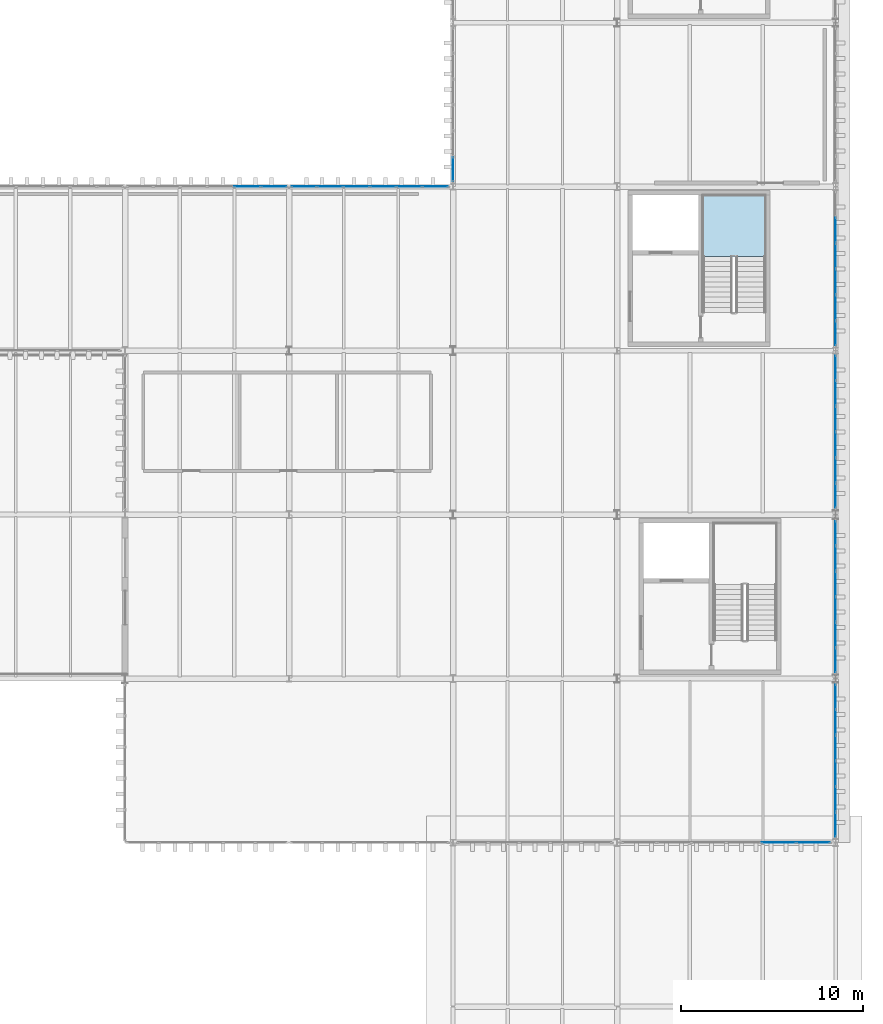
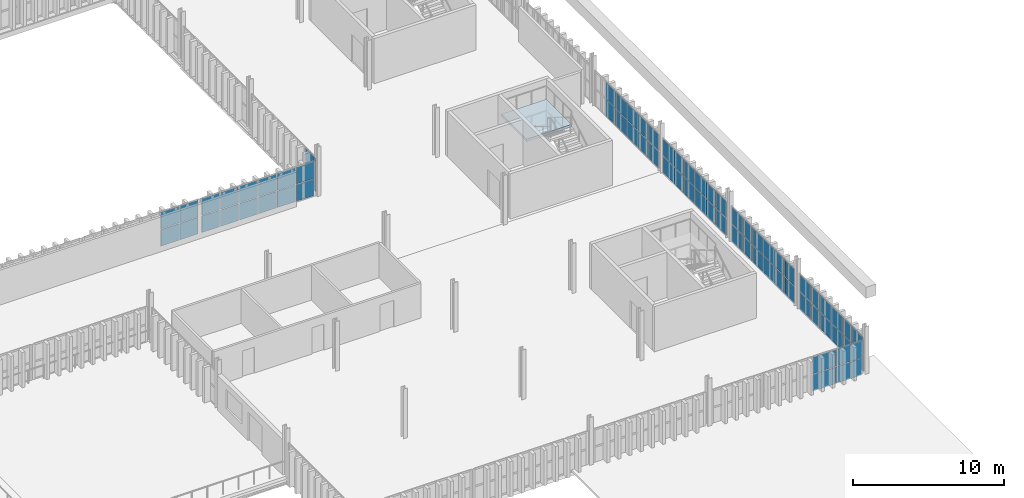
# One storey, part 83 of 102: 68 plates, 1 slab, 9 elements without a shape of their own.
"""IFC4 building model written with IfcOpenShell, lengths in metres."""

from ifc_helpers import new_model, si_unit, direction, frame, origin, origin_2d, place, context, subcontext, project, spatial, polyline, rectangle, outline, extrude, material, layer, layer_set, type_object, element, aggregate, save


model = new_model("IFC4")

# Units and contexts
model_context = context("Model", 3, precision=1e-05, world=origin(), true_north=direction((0.0, 1.0)))
body_context = subcontext(model_context, "Body", "Model", "MODEL_VIEW")
ifc_project = project(units=[si_unit("LENGTHUNIT", "METRE"), si_unit("AREAUNIT", "SQUARE_METRE"), si_unit("VOLUMEUNIT", "CUBIC_METRE"), si_unit("PLANEANGLEUNIT", "RADIAN"), si_unit("MASSUNIT", "GRAM", prefix="KILO")], contexts=[model_context])

# Site, building, storey
site_placement = place(None, origin())
site = spatial("IfcSite", under=ifc_project, at=site_placement, CompositionType="ELEMENT")
building_placement = place(site_placement, origin())
building = spatial("IfcBuilding", under=site, at=building_placement, Name="Barlavento Convention Centre", CompositionType="ELEMENT")
storey_placement = place(building_placement, frame((0.0, 0.0, 22.800048828125)))
storey = spatial("IfcBuildingStorey", under=building, at=storey_placement, Name="L04", CompositionType="ELEMENT", Elevation=22.800048828125)

# Curtain wall, plates
ifc_material_1 = material(Name="Powder-coated aluminium and Low-E glass", Category="aluminium")
ifc_layer_1 = layer(ifc_material_1, 0.18505859375)
ifc_layer_set_1 = layer_set([ifc_layer_1], Name="ARC-CW-CONF-L04")
curtain_wall_type_1 = type_object("IfcCurtainWallType", Name="ARC-CW-CONF-L04", PredefinedType="NOTDEFINED", material=ifc_layer_set_1)
curtain_wall_1_placement = place(storey_placement, origin())
curtain_wall_1 = element("IfcCurtainWall", 1, at=curtain_wall_1_placement, inside=storey, type_object=curtain_wall_type_1, Name="L04 unitised curtain wall CW09", PredefinedType="NOTDEFINED")
ifc_material_2 = material(Name="Double-silver Low-E insulated glass", Category="glass")
ifc_layer_2 = layer(ifc_material_2, 0.028076171875)
ifc_layer_set_2 = layer_set([ifc_layer_2], Name="ARC-CWP-GLZ28")
plate_type = type_object("IfcPlateType", Name="ARC-CWP-GLZ28", PredefinedType="CURTAIN_PANEL", material=ifc_layer_set_2)
plate_1_placement = place(storey_placement, frame((192.0, 27.9794921875, 0.06005859375), z_axis=(0.0, 0.0, 1.0), x_axis=(0.0, 1.0, 0.0)))
plate_1 = element("IfcPlate", 2, at=plate_1_placement, type_object=plate_type, Name="CW09 panel 1.1", PredefinedType="CURTAIN_PANEL", context=body_context, shape_type="SweptSolid", body=[
    extrude(rectangle(XDim=1.319091796875, YDim=0.028076171875, at=origin_2d()), origin(), (0.0, 0.0, 1.0), 1.3349609375),
])
plate_2_placement = place(storey_placement, frame((192.0, 27.9794921875, 1.455078125), z_axis=(0.0, 0.0, 1.0), x_axis=(0.0, 1.0, 0.0)))
plate_2 = element("IfcPlate", 3, at=plate_2_placement, type_object=plate_type, Name="CW09 panel 1.2", PredefinedType="CURTAIN_PANEL", context=body_context, shape_type="SweptSolid", body=[
    extrude(rectangle(XDim=1.319091796875, YDim=0.028076171875, at=origin_2d()), origin(), (0.0, 0.0, 1.0), 1.3349609375),
])
plate_3_placement = place(storey_placement, frame((192.0, 29.373779296875, 0.06005859375), z_axis=(0.0, 0.0, 1.0), x_axis=(0.0, 1.0, 0.0)))
plate_3 = element("IfcPlate", 4, at=plate_3_placement, type_object=plate_type, Name="CW09 panel 2.1", PredefinedType="CURTAIN_PANEL", context=body_context, shape_type="SweptSolid", body=[
    extrude(rectangle(XDim=1.34912109375, YDim=0.028076171875, at=origin_2d()), origin(), (0.0, 0.0, 1.0), 1.3349609375),
])
plate_4_placement = place(storey_placement, frame((192.0, 29.373779296875, 1.455078125), z_axis=(0.0, 0.0, 1.0), x_axis=(0.0, 1.0, 0.0)))
plate_4 = element("IfcPlate", 5, at=plate_4_placement, type_object=plate_type, Name="CW09 panel 2.2", PredefinedType="CURTAIN_PANEL", context=body_context, shape_type="SweptSolid", body=[
    extrude(rectangle(XDim=1.34912109375, YDim=0.028076171875, at=origin_2d()), origin(), (0.0, 0.0, 1.0), 1.3349609375),
])
plate_5_placement = place(storey_placement, frame((192.0, 30.782958984375, 0.06005859375), z_axis=(0.0, 0.0, 1.0), x_axis=(0.0, 1.0, 0.0)))
plate_5 = element("IfcPlate", 6, at=plate_5_placement, type_object=plate_type, Name="CW09 panel 3.1", PredefinedType="CURTAIN_PANEL", context=body_context, shape_type="SweptSolid", body=[
    extrude(rectangle(XDim=1.34912109375, YDim=0.028076171875, at=origin_2d()), origin(), (0.0, 0.0, 1.0), 1.3349609375),
])
plate_6_placement = place(storey_placement, frame((192.0, 30.782958984375, 1.455078125), z_axis=(0.0, 0.0, 1.0), x_axis=(0.0, 1.0, 0.0)))
plate_6 = element("IfcPlate", 7, at=plate_6_placement, type_object=plate_type, Name="CW09 panel 3.2", PredefinedType="CURTAIN_PANEL", context=body_context, shape_type="SweptSolid", body=[
    extrude(rectangle(XDim=1.34912109375, YDim=0.028076171875, at=origin_2d()), origin(), (0.0, 0.0, 1.0), 1.3349609375),
])
plate_7_placement = place(storey_placement, frame((192.0, 32.192138671875, 0.06005859375), z_axis=(0.0, 0.0, 1.0), x_axis=(0.0, 1.0, 0.0)))
plate_7 = element("IfcPlate", 8, at=plate_7_placement, type_object=plate_type, Name="CW09 panel 4.1", PredefinedType="CURTAIN_PANEL", context=body_context, shape_type="SweptSolid", body=[
    extrude(rectangle(XDim=1.34912109375, YDim=0.028076171875, at=origin_2d()), origin(), (0.0, 0.0, 1.0), 1.3349609375),
])
plate_8_placement = place(storey_placement, frame((192.0, 32.192138671875, 1.455078125), z_axis=(0.0, 0.0, 1.0), x_axis=(0.0, 1.0, 0.0)))
plate_8 = element("IfcPlate", 9, at=plate_8_placement, type_object=plate_type, Name="CW09 panel 4.2", PredefinedType="CURTAIN_PANEL", context=body_context, shape_type="SweptSolid", body=[
    extrude(rectangle(XDim=1.34912109375, YDim=0.028076171875, at=origin_2d()), origin(), (0.0, 0.0, 1.0), 1.3349609375),
])
plate_9_placement = place(storey_placement, frame((192.0, 33.601318359375, 0.06005859375), z_axis=(0.0, 0.0, 1.0), x_axis=(0.0, 1.0, 0.0)))
plate_9 = element("IfcPlate", 10, at=plate_9_placement, type_object=plate_type, Name="CW09 panel 5.1", PredefinedType="CURTAIN_PANEL", context=body_context, shape_type="SweptSolid", body=[
    extrude(rectangle(XDim=1.34912109375, YDim=0.028076171875, at=origin_2d()), origin(), (0.0, 0.0, 1.0), 1.3349609375),
])
plate_10_placement = place(storey_placement, frame((192.0, 33.601318359375, 1.455078125), z_axis=(0.0, 0.0, 1.0), x_axis=(0.0, 1.0, 0.0)))
plate_10 = element("IfcPlate", 11, at=plate_10_placement, type_object=plate_type, Name="CW09 panel 5.2", PredefinedType="CURTAIN_PANEL", context=body_context, shape_type="SweptSolid", body=[
    extrude(rectangle(XDim=1.34912109375, YDim=0.028076171875, at=origin_2d()), origin(), (0.0, 0.0, 1.0), 1.3349609375),
])
plate_11_placement = place(storey_placement, frame((192.0, 34.995361328125, 0.06005859375), z_axis=(0.0, 0.0, 1.0), x_axis=(0.0, 1.0, 0.0)))
plate_11 = element("IfcPlate", 12, at=plate_11_placement, type_object=plate_type, Name="CW09 panel 6.1", PredefinedType="CURTAIN_PANEL", context=body_context, shape_type="SweptSolid", body=[
    extrude(rectangle(XDim=1.319091796875, YDim=0.028076171875, at=origin_2d()), origin(), (0.0, 0.0, 1.0), 1.3349609375),
])
plate_12_placement = place(storey_placement, frame((192.0, 34.995361328125, 1.455078125), z_axis=(0.0, 0.0, 1.0), x_axis=(0.0, 1.0, 0.0)))
plate_12 = element("IfcPlate", 13, at=plate_12_placement, type_object=plate_type, Name="CW09 panel 6.2", PredefinedType="CURTAIN_PANEL", context=body_context, shape_type="SweptSolid", body=[
    extrude(rectangle(XDim=1.319091796875, YDim=0.028076171875, at=origin_2d()), origin(), (0.0, 0.0, 1.0), 1.3349609375),
])
aggregate(curtain_wall_1, [plate_1, plate_2, plate_3, plate_4, plate_5, plate_6, plate_7, plate_8, plate_9, plate_10, plate_11, plate_12])

curtain_wall_2_placement = place(storey_placement, origin())
curtain_wall_2 = element("IfcCurtainWall", 14, at=curtain_wall_2_placement, inside=storey, type_object=curtain_wall_type_1, Name="L04 unitised curtain wall CW09", PredefinedType="NOTDEFINED")
plate_13_placement = place(storey_placement, frame((192.0, 37.00048828125, 0.06005859375), z_axis=(0.0, 0.0, 1.0), x_axis=(0.0, 1.0, 0.0)))
plate_13 = element("IfcPlate", 15, at=plate_13_placement, type_object=plate_type, Name="CW09 panel 1.1", PredefinedType="CURTAIN_PANEL", context=body_context, shape_type="SweptSolid", body=[
    extrude(rectangle(XDim=1.310791015625, YDim=0.028076171875, at=origin_2d()), origin(), (0.0, 0.0, 1.0), 1.3349609375),
])
plate_14_placement = place(storey_placement, frame((192.0, 37.00048828125, 1.455078125), z_axis=(0.0, 0.0, 1.0), x_axis=(0.0, 1.0, 0.0)))
plate_14 = element("IfcPlate", 16, at=plate_14_placement, type_object=plate_type, Name="CW09 panel 1.2", PredefinedType="CURTAIN_PANEL", context=body_context, shape_type="SweptSolid", body=[
    extrude(rectangle(XDim=1.310791015625, YDim=0.028076171875, at=origin_2d()), origin(), (0.0, 0.0, 1.0), 1.3349609375),
])
plate_15_placement = place(storey_placement, frame((192.0, 38.38623046875, 0.06005859375), z_axis=(0.0, 0.0, 1.0), x_axis=(0.0, 1.0, 0.0)))
plate_15 = element("IfcPlate", 17, at=plate_15_placement, type_object=plate_type, Name="CW09 panel 2.1", PredefinedType="CURTAIN_PANEL", context=body_context, shape_type="SweptSolid", body=[
    extrude(rectangle(XDim=1.3408203125, YDim=0.028076171875, at=origin_2d()), origin(), (0.0, 0.0, 1.0), 1.3349609375),
])
plate_16_placement = place(storey_placement, frame((192.0, 38.38623046875, 1.455078125), z_axis=(0.0, 0.0, 1.0), x_axis=(0.0, 1.0, 0.0)))
plate_16 = element("IfcPlate", 18, at=plate_16_placement, type_object=plate_type, Name="CW09 panel 2.2", PredefinedType="CURTAIN_PANEL", context=body_context, shape_type="SweptSolid", body=[
    extrude(rectangle(XDim=1.3408203125, YDim=0.028076171875, at=origin_2d()), origin(), (0.0, 0.0, 1.0), 1.3349609375),
])
plate_17_placement = place(storey_placement, frame((192.0, 39.787109375, 0.06005859375), z_axis=(0.0, 0.0, 1.0), x_axis=(0.0, 1.0, 0.0)))
plate_17 = element("IfcPlate", 19, at=plate_17_placement, type_object=plate_type, Name="CW09 panel 3.1", PredefinedType="CURTAIN_PANEL", context=body_context, shape_type="SweptSolid", body=[
    extrude(rectangle(XDim=1.3408203125, YDim=0.028076171875, at=origin_2d()), origin(), (0.0, 0.0, 1.0), 1.3349609375),
])
plate_18_placement = place(storey_placement, frame((192.0, 39.787109375, 1.455078125), z_axis=(0.0, 0.0, 1.0), x_axis=(0.0, 1.0, 0.0)))
plate_18 = element("IfcPlate", 20, at=plate_18_placement, type_object=plate_type, Name="CW09 panel 3.2", PredefinedType="CURTAIN_PANEL", context=body_context, shape_type="SweptSolid", body=[
    extrude(rectangle(XDim=1.3408203125, YDim=0.028076171875, at=origin_2d()), origin(), (0.0, 0.0, 1.0), 1.3349609375),
])
plate_19_placement = place(storey_placement, frame((192.0, 41.18798828125, 0.06005859375), z_axis=(0.0, 0.0, 1.0), x_axis=(0.0, 1.0, 0.0)))
plate_19 = element("IfcPlate", 21, at=plate_19_placement, type_object=plate_type, Name="CW09 panel 4.1", PredefinedType="CURTAIN_PANEL", context=body_context, shape_type="SweptSolid", body=[
    extrude(rectangle(XDim=1.3408203125, YDim=0.028076171875, at=origin_2d()), origin(), (0.0, 0.0, 1.0), 1.3349609375),
])
plate_20_placement = place(storey_placement, frame((192.0, 41.18798828125, 1.455078125), z_axis=(0.0, 0.0, 1.0), x_axis=(0.0, 1.0, 0.0)))
plate_20 = element("IfcPlate", 22, at=plate_20_placement, type_object=plate_type, Name="CW09 panel 4.2", PredefinedType="CURTAIN_PANEL", context=body_context, shape_type="SweptSolid", body=[
    extrude(rectangle(XDim=1.3408203125, YDim=0.028076171875, at=origin_2d()), origin(), (0.0, 0.0, 1.0), 1.3349609375),
])
plate_21_placement = place(storey_placement, frame((192.0, 42.5888671875, 0.06005859375), z_axis=(0.0, 0.0, 1.0), x_axis=(0.0, 1.0, 0.0)))
plate_21 = element("IfcPlate", 23, at=plate_21_placement, type_object=plate_type, Name="CW09 panel 5.1", PredefinedType="CURTAIN_PANEL", context=body_context, shape_type="SweptSolid", body=[
    extrude(rectangle(XDim=1.3408203125, YDim=0.028076171875, at=origin_2d()), origin(), (0.0, 0.0, 1.0), 1.3349609375),
])
plate_22_placement = place(storey_placement, frame((192.0, 42.5888671875, 1.455078125), z_axis=(0.0, 0.0, 1.0), x_axis=(0.0, 1.0, 0.0)))
plate_22 = element("IfcPlate", 24, at=plate_22_placement, type_object=plate_type, Name="CW09 panel 5.2", PredefinedType="CURTAIN_PANEL", context=body_context, shape_type="SweptSolid", body=[
    extrude(rectangle(XDim=1.3408203125, YDim=0.028076171875, at=origin_2d()), origin(), (0.0, 0.0, 1.0), 1.3349609375),
])
plate_23_placement = place(storey_placement, frame((192.0, 43.974609375, 0.06005859375), z_axis=(0.0, 0.0, 1.0), x_axis=(0.0, 1.0, 0.0)))
plate_23 = element("IfcPlate", 25, at=plate_23_placement, type_object=plate_type, Name="CW09 panel 6.1", PredefinedType="CURTAIN_PANEL", context=body_context, shape_type="SweptSolid", body=[
    extrude(rectangle(XDim=1.310791015625, YDim=0.028076171875, at=origin_2d()), origin(), (0.0, 0.0, 1.0), 1.3349609375),
])
plate_24_placement = place(storey_placement, frame((192.0, 43.974609375, 1.455078125), z_axis=(0.0, 0.0, 1.0), x_axis=(0.0, 1.0, 0.0)))
plate_24 = element("IfcPlate", 26, at=plate_24_placement, type_object=plate_type, Name="CW09 panel 6.2", PredefinedType="CURTAIN_PANEL", context=body_context, shape_type="SweptSolid", body=[
    extrude(rectangle(XDim=1.310791015625, YDim=0.028076171875, at=origin_2d()), origin(), (0.0, 0.0, 1.0), 1.3349609375),
])
aggregate(curtain_wall_2, [plate_13, plate_14, plate_15, plate_16, plate_17, plate_18, plate_19, plate_20, plate_21, plate_22, plate_23, plate_24])

curtain_wall_3_placement = place(storey_placement, origin())
curtain_wall_3 = element("IfcCurtainWall", 27, at=curtain_wall_3_placement, inside=storey, type_object=curtain_wall_type_1, Name="L04 unitised curtain wall CW09", PredefinedType="NOTDEFINED")
plate_25_placement = place(storey_placement, frame((192.0, 46.030029296875, 0.06005859375), z_axis=(0.0, 0.0, 1.0), x_axis=(0.0, 1.0, 0.0)))
plate_25 = element("IfcPlate", 28, at=plate_25_placement, type_object=plate_type, Name="CW09 panel 1.1", PredefinedType="CURTAIN_PANEL", context=body_context, shape_type="SweptSolid", body=[
    extrude(rectangle(XDim=1.320068359375, YDim=0.028076171875, at=origin_2d()), origin(), (0.0, 0.0, 1.0), 1.3349609375),
])
plate_26_placement = place(storey_placement, frame((192.0, 46.030029296875, 1.455078125), z_axis=(0.0, 0.0, 1.0), x_axis=(0.0, 1.0, 0.0)))
plate_26 = element("IfcPlate", 29, at=plate_26_placement, type_object=plate_type, Name="CW09 panel 1.2", PredefinedType="CURTAIN_PANEL", context=body_context, shape_type="SweptSolid", body=[
    extrude(rectangle(XDim=1.320068359375, YDim=0.028076171875, at=origin_2d()), origin(), (0.0, 0.0, 1.0), 1.3349609375),
])
plate_27_placement = place(storey_placement, frame((192.0, 47.425048828125, 0.06005859375), z_axis=(0.0, 0.0, 1.0), x_axis=(0.0, 1.0, 0.0)))
plate_27 = element("IfcPlate", 30, at=plate_27_placement, type_object=plate_type, Name="CW09 panel 2.1", PredefinedType="CURTAIN_PANEL", context=body_context, shape_type="SweptSolid", body=[
    extrude(rectangle(XDim=1.35009765625, YDim=0.028076171875, at=origin_2d()), origin(), (0.0, 0.0, 1.0), 1.3349609375),
])
plate_28_placement = place(storey_placement, frame((192.0, 47.425048828125, 1.455078125), z_axis=(0.0, 0.0, 1.0), x_axis=(0.0, 1.0, 0.0)))
plate_28 = element("IfcPlate", 31, at=plate_28_placement, type_object=plate_type, Name="CW09 panel 2.2", PredefinedType="CURTAIN_PANEL", context=body_context, shape_type="SweptSolid", body=[
    extrude(rectangle(XDim=1.35009765625, YDim=0.028076171875, at=origin_2d()), origin(), (0.0, 0.0, 1.0), 1.3349609375),
])
plate_29_placement = place(storey_placement, frame((192.0, 48.8349609375, 0.06005859375), z_axis=(0.0, 0.0, 1.0), x_axis=(0.0, 1.0, 0.0)))
plate_29 = element("IfcPlate", 32, at=plate_29_placement, type_object=plate_type, Name="CW09 panel 3.1", PredefinedType="CURTAIN_PANEL", context=body_context, shape_type="SweptSolid", body=[
    extrude(rectangle(XDim=1.35009765625, YDim=0.028076171875, at=origin_2d()), origin(), (0.0, 0.0, 1.0), 1.3349609375),
])
plate_30_placement = place(storey_placement, frame((192.0, 48.8349609375, 1.455078125), z_axis=(0.0, 0.0, 1.0), x_axis=(0.0, 1.0, 0.0)))
plate_30 = element("IfcPlate", 33, at=plate_30_placement, type_object=plate_type, Name="CW09 panel 3.2", PredefinedType="CURTAIN_PANEL", context=body_context, shape_type="SweptSolid", body=[
    extrude(rectangle(XDim=1.35009765625, YDim=0.028076171875, at=origin_2d()), origin(), (0.0, 0.0, 1.0), 1.3349609375),
])
plate_31_placement = place(storey_placement, frame((192.0, 50.2451171875, 0.06005859375), z_axis=(0.0, 0.0, 1.0), x_axis=(0.0, 1.0, 0.0)))
plate_31 = element("IfcPlate", 34, at=plate_31_placement, type_object=plate_type, Name="CW09 panel 4.1", PredefinedType="CURTAIN_PANEL", context=body_context, shape_type="SweptSolid", body=[
    extrude(rectangle(XDim=1.35009765625, YDim=0.028076171875, at=origin_2d()), origin(), (0.0, 0.0, 1.0), 1.3349609375),
])
plate_32_placement = place(storey_placement, frame((192.0, 50.2451171875, 1.455078125), z_axis=(0.0, 0.0, 1.0), x_axis=(0.0, 1.0, 0.0)))
plate_32 = element("IfcPlate", 35, at=plate_32_placement, type_object=plate_type, Name="CW09 panel 4.2", PredefinedType="CURTAIN_PANEL", context=body_context, shape_type="SweptSolid", body=[
    extrude(rectangle(XDim=1.35009765625, YDim=0.028076171875, at=origin_2d()), origin(), (0.0, 0.0, 1.0), 1.3349609375),
])
plate_33_placement = place(storey_placement, frame((192.0, 51.655029296875, 0.06005859375), z_axis=(0.0, 0.0, 1.0), x_axis=(0.0, 1.0, 0.0)))
plate_33 = element("IfcPlate", 36, at=plate_33_placement, type_object=plate_type, Name="CW09 panel 5.1", PredefinedType="CURTAIN_PANEL", context=body_context, shape_type="SweptSolid", body=[
    extrude(rectangle(XDim=1.35009765625, YDim=0.028076171875, at=origin_2d()), origin(), (0.0, 0.0, 1.0), 1.3349609375),
])
plate_34_placement = place(storey_placement, frame((192.0, 51.655029296875, 1.455078125), z_axis=(0.0, 0.0, 1.0), x_axis=(0.0, 1.0, 0.0)))
plate_34 = element("IfcPlate", 37, at=plate_34_placement, type_object=plate_type, Name="CW09 panel 5.2", PredefinedType="CURTAIN_PANEL", context=body_context, shape_type="SweptSolid", body=[
    extrude(rectangle(XDim=1.35009765625, YDim=0.028076171875, at=origin_2d()), origin(), (0.0, 0.0, 1.0), 1.3349609375),
])
plate_35_placement = place(storey_placement, frame((192.0, 53.050048828125, 0.06005859375), z_axis=(0.0, 0.0, 1.0), x_axis=(0.0, 1.0, 0.0)))
plate_35 = element("IfcPlate", 38, at=plate_35_placement, type_object=plate_type, Name="CW09 panel 6.1", PredefinedType="CURTAIN_PANEL", context=body_context, shape_type="SweptSolid", body=[
    extrude(rectangle(XDim=1.320068359375, YDim=0.028076171875, at=origin_2d()), origin(), (0.0, 0.0, 1.0), 1.3349609375),
])
plate_36_placement = place(storey_placement, frame((192.0, 53.050048828125, 1.455078125), z_axis=(0.0, 0.0, 1.0), x_axis=(0.0, 1.0, 0.0)))
plate_36 = element("IfcPlate", 39, at=plate_36_placement, type_object=plate_type, Name="CW09 panel 6.2", PredefinedType="CURTAIN_PANEL", context=body_context, shape_type="SweptSolid", body=[
    extrude(rectangle(XDim=1.320068359375, YDim=0.028076171875, at=origin_2d()), origin(), (0.0, 0.0, 1.0), 1.3349609375),
])
aggregate(curtain_wall_3, [plate_25, plate_26, plate_27, plate_28, plate_29, plate_30, plate_31, plate_32, plate_33, plate_34, plate_35, plate_36])

curtain_wall_4_placement = place(storey_placement, origin())
curtain_wall_4 = element("IfcCurtainWall", 40, at=curtain_wall_4_placement, inside=storey, type_object=curtain_wall_type_1, Name="L04 unitised curtain wall CW09", PredefinedType="NOTDEFINED")
plate_37_placement = place(storey_placement, frame((192.0, 54.9541015625, 0.06005859375), z_axis=(0.0, 0.0, 1.0), x_axis=(0.0, 1.0, 0.0)))
plate_37 = element("IfcPlate", 41, at=plate_37_placement, type_object=plate_type, Name="CW09 panel 1.1", PredefinedType="CURTAIN_PANEL", context=body_context, shape_type="SweptSolid", body=[
    extrude(rectangle(XDim=1.328369140625, YDim=0.028076171875, at=origin_2d()), origin(), (0.0, 0.0, 1.0), 1.3349609375),
])
plate_38_placement = place(storey_placement, frame((192.0, 54.9541015625, 1.455078125), z_axis=(0.0, 0.0, 1.0), x_axis=(0.0, 1.0, 0.0)))
plate_38 = element("IfcPlate", 42, at=plate_38_placement, type_object=plate_type, Name="CW09 panel 1.2", PredefinedType="CURTAIN_PANEL", context=body_context, shape_type="SweptSolid", body=[
    extrude(rectangle(XDim=1.328369140625, YDim=0.028076171875, at=origin_2d()), origin(), (0.0, 0.0, 1.0), 1.3349609375),
])
plate_39_placement = place(storey_placement, frame((192.0, 56.357421875, 0.06005859375), z_axis=(0.0, 0.0, 1.0), x_axis=(0.0, 1.0, 0.0)))
plate_39 = element("IfcPlate", 43, at=plate_39_placement, type_object=plate_type, Name="CW09 panel 2.1", PredefinedType="CURTAIN_PANEL", context=body_context, shape_type="SweptSolid", body=[
    extrude(rectangle(XDim=1.3583984375, YDim=0.028076171875, at=origin_2d()), origin(), (0.0, 0.0, 1.0), 1.3349609375),
])
plate_40_placement = place(storey_placement, frame((192.0, 56.357421875, 1.455078125), z_axis=(0.0, 0.0, 1.0), x_axis=(0.0, 1.0, 0.0)))
plate_40 = element("IfcPlate", 44, at=plate_40_placement, type_object=plate_type, Name="CW09 panel 2.2", PredefinedType="CURTAIN_PANEL", context=body_context, shape_type="SweptSolid", body=[
    extrude(rectangle(XDim=1.3583984375, YDim=0.028076171875, at=origin_2d()), origin(), (0.0, 0.0, 1.0), 1.3349609375),
])
plate_41_placement = place(storey_placement, frame((192.0, 57.77587890625, 0.06005859375), z_axis=(0.0, 0.0, 1.0), x_axis=(0.0, 1.0, 0.0)))
plate_41 = element("IfcPlate", 45, at=plate_41_placement, type_object=plate_type, Name="CW09 panel 3.1", PredefinedType="CURTAIN_PANEL", context=body_context, shape_type="SweptSolid", body=[
    extrude(rectangle(XDim=1.3583984375, YDim=0.028076171875, at=origin_2d()), origin(), (0.0, 0.0, 1.0), 1.3349609375),
])
plate_42_placement = place(storey_placement, frame((192.0, 57.77587890625, 1.455078125), z_axis=(0.0, 0.0, 1.0), x_axis=(0.0, 1.0, 0.0)))
plate_42 = element("IfcPlate", 46, at=plate_42_placement, type_object=plate_type, Name="CW09 panel 3.2", PredefinedType="CURTAIN_PANEL", context=body_context, shape_type="SweptSolid", body=[
    extrude(rectangle(XDim=1.3583984375, YDim=0.028076171875, at=origin_2d()), origin(), (0.0, 0.0, 1.0), 1.3349609375),
])
plate_43_placement = place(storey_placement, frame((192.0, 59.194091796875, 0.06005859375), z_axis=(0.0, 0.0, 1.0), x_axis=(0.0, 1.0, 0.0)))
plate_43 = element("IfcPlate", 47, at=plate_43_placement, type_object=plate_type, Name="CW09 panel 4.1", PredefinedType="CURTAIN_PANEL", context=body_context, shape_type="SweptSolid", body=[
    extrude(rectangle(XDim=1.3583984375, YDim=0.028076171875, at=origin_2d()), origin(), (0.0, 0.0, 1.0), 1.3349609375),
])
plate_44_placement = place(storey_placement, frame((192.0, 59.194091796875, 1.455078125), z_axis=(0.0, 0.0, 1.0), x_axis=(0.0, 1.0, 0.0)))
plate_44 = element("IfcPlate", 48, at=plate_44_placement, type_object=plate_type, Name="CW09 panel 4.2", PredefinedType="CURTAIN_PANEL", context=body_context, shape_type="SweptSolid", body=[
    extrude(rectangle(XDim=1.3583984375, YDim=0.028076171875, at=origin_2d()), origin(), (0.0, 0.0, 1.0), 1.3349609375),
])
plate_45_placement = place(storey_placement, frame((192.0, 60.612548828125, 0.06005859375), z_axis=(0.0, 0.0, 1.0), x_axis=(0.0, 1.0, 0.0)))
plate_45 = element("IfcPlate", 49, at=plate_45_placement, type_object=plate_type, Name="CW09 panel 5.1", PredefinedType="CURTAIN_PANEL", context=body_context, shape_type="SweptSolid", body=[
    extrude(rectangle(XDim=1.3583984375, YDim=0.028076171875, at=origin_2d()), origin(), (0.0, 0.0, 1.0), 1.3349609375),
])
plate_46_placement = place(storey_placement, frame((192.0, 60.612548828125, 1.455078125), z_axis=(0.0, 0.0, 1.0), x_axis=(0.0, 1.0, 0.0)))
plate_46 = element("IfcPlate", 50, at=plate_46_placement, type_object=plate_type, Name="CW09 panel 5.2", PredefinedType="CURTAIN_PANEL", context=body_context, shape_type="SweptSolid", body=[
    extrude(rectangle(XDim=1.3583984375, YDim=0.028076171875, at=origin_2d()), origin(), (0.0, 0.0, 1.0), 1.3349609375),
])
aggregate(curtain_wall_4, [plate_37, plate_38, plate_39, plate_40, plate_41, plate_42, plate_43, plate_44, plate_45, plate_46])

ifc_layer_3 = layer(ifc_material_1, 0.179931640625)
ifc_layer_set_3 = layer_set([ifc_layer_3], Name="ARC-CW-PATIO-B")
curtain_wall_type_2 = type_object("IfcCurtainWallType", Name="ARC-CW-PATIO-B", PredefinedType="NOTDEFINED", material=ifc_layer_set_3)
curtain_wall_5_placement = place(storey_placement, origin())
curtain_wall_5 = element("IfcCurtainWall", 51, at=curtain_wall_5_placement, inside=storey, type_object=curtain_wall_type_2, Name="L04 unitised curtain wall CW12", PredefinedType="NOTDEFINED")
plate_47_placement = place(storey_placement, frame((159.7099609375, 63.0, 0.06005859375), z_axis=(0.0, 0.0, 1.0), x_axis=(1.0, 0.0, 0.0)))
plate_47 = element("IfcPlate", 52, at=plate_47_placement, type_object=plate_type, Name="CW12 panel 5.1", PredefinedType="CURTAIN_PANEL", context=body_context, shape_type="SweptSolid", body=[
    extrude(rectangle(XDim=1.413330078125, YDim=0.028076171875, at=origin_2d()), origin(), (0.0, 0.0, 1.0), 1.3349609375),
])
plate_48_placement = place(storey_placement, frame((159.7099609375, 63.0, 1.455078125), z_axis=(0.0, 0.0, 1.0), x_axis=(1.0, 0.0, 0.0)))
plate_48 = element("IfcPlate", 53, at=plate_48_placement, type_object=plate_type, Name="CW12 panel 5.2", PredefinedType="CURTAIN_PANEL", context=body_context, shape_type="SweptSolid", body=[
    extrude(rectangle(XDim=1.413330078125, YDim=0.028076171875, at=origin_2d()), origin(), (0.0, 0.0, 1.0), 1.3349609375),
])
plate_49_placement = place(storey_placement, frame((161.168212890625, 63.0, 0.06005859375), z_axis=(0.0, 0.0, 1.0), x_axis=(1.0, 0.0, 0.0)))
plate_49 = element("IfcPlate", 54, at=plate_49_placement, type_object=plate_type, Name="CW12 panel 6.1", PredefinedType="CURTAIN_PANEL", context=body_context, shape_type="SweptSolid", body=[
    extrude(rectangle(XDim=1.38330078125, YDim=0.028076171875, at=origin_2d()), origin(), (0.0, 0.0, 1.0), 1.3349609375),
])
plate_50_placement = place(storey_placement, frame((161.168212890625, 63.0, 1.455078125), z_axis=(0.0, 0.0, 1.0), x_axis=(1.0, 0.0, 0.0)))
plate_50 = element("IfcPlate", 55, at=plate_50_placement, type_object=plate_type, Name="CW12 panel 6.2", PredefinedType="CURTAIN_PANEL", context=body_context, shape_type="SweptSolid", body=[
    extrude(rectangle(XDim=1.38330078125, YDim=0.028076171875, at=origin_2d()), origin(), (0.0, 0.0, 1.0), 1.3349609375),
])
aggregate(curtain_wall_5, [plate_47, plate_48, plate_49, plate_50])

curtain_wall_6_placement = place(storey_placement, origin())
curtain_wall_6 = element("IfcCurtainWall", 56, at=curtain_wall_6_placement, inside=storey, type_object=curtain_wall_type_2, Name="L04 unitised curtain wall CW12", PredefinedType="NOTDEFINED")
plate_51_placement = place(storey_placement, frame((162.819091796875, 63.0, 0.06005859375), z_axis=(0.0, 0.0, 1.0), x_axis=(1.0, 0.0, 0.0)))
plate_51 = element("IfcPlate", 57, at=plate_51_placement, type_object=plate_type, Name="CW12 panel 1.1", PredefinedType="CURTAIN_PANEL", context=body_context, shape_type="SweptSolid", body=[
    extrude(rectangle(XDim=1.3583984375, YDim=0.028076171875, at=origin_2d()), origin(), (0.0, 0.0, 1.0), 1.3349609375),
])
plate_52_placement = place(storey_placement, frame((162.819091796875, 63.0, 1.455078125), z_axis=(0.0, 0.0, 1.0), x_axis=(1.0, 0.0, 0.0)))
plate_52 = element("IfcPlate", 58, at=plate_52_placement, type_object=plate_type, Name="CW12 panel 1.2", PredefinedType="CURTAIN_PANEL", context=body_context, shape_type="SweptSolid", body=[
    extrude(rectangle(XDim=1.3583984375, YDim=0.028076171875, at=origin_2d()), origin(), (0.0, 0.0, 1.0), 1.3349609375),
])
plate_53_placement = place(storey_placement, frame((164.25244140625, 63.0, 0.06005859375), z_axis=(0.0, 0.0, 1.0), x_axis=(1.0, 0.0, 0.0)))
plate_53 = element("IfcPlate", 59, at=plate_53_placement, type_object=plate_type, Name="CW12 panel 2.1", PredefinedType="CURTAIN_PANEL", context=body_context, shape_type="SweptSolid", body=[
    extrude(rectangle(XDim=1.388427734375, YDim=0.028076171875, at=origin_2d()), origin(), (0.0, 0.0, 1.0), 1.3349609375),
])
plate_54_placement = place(storey_placement, frame((164.25244140625, 63.0, 1.455078125), z_axis=(0.0, 0.0, 1.0), x_axis=(1.0, 0.0, 0.0)))
plate_54 = element("IfcPlate", 60, at=plate_54_placement, type_object=plate_type, Name="CW12 panel 2.2", PredefinedType="CURTAIN_PANEL", context=body_context, shape_type="SweptSolid", body=[
    extrude(rectangle(XDim=1.388427734375, YDim=0.028076171875, at=origin_2d()), origin(), (0.0, 0.0, 1.0), 1.3349609375),
])
plate_55_placement = place(storey_placement, frame((165.700927734375, 63.0, 0.06005859375), z_axis=(0.0, 0.0, 1.0), x_axis=(1.0, 0.0, 0.0)))
plate_55 = element("IfcPlate", 61, at=plate_55_placement, type_object=plate_type, Name="CW12 panel 3.1", PredefinedType="CURTAIN_PANEL", context=body_context, shape_type="SweptSolid", body=[
    extrude(rectangle(XDim=1.388427734375, YDim=0.028076171875, at=origin_2d()), origin(), (0.0, 0.0, 1.0), 1.3349609375),
])
plate_56_placement = place(storey_placement, frame((165.700927734375, 63.0, 1.455078125), z_axis=(0.0, 0.0, 1.0), x_axis=(1.0, 0.0, 0.0)))
plate_56 = element("IfcPlate", 62, at=plate_56_placement, type_object=plate_type, Name="CW12 panel 3.2", PredefinedType="CURTAIN_PANEL", context=body_context, shape_type="SweptSolid", body=[
    extrude(rectangle(XDim=1.388427734375, YDim=0.028076171875, at=origin_2d()), origin(), (0.0, 0.0, 1.0), 1.3349609375),
])
plate_57_placement = place(storey_placement, frame((167.149169921875, 63.0, 0.06005859375), z_axis=(0.0, 0.0, 1.0), x_axis=(1.0, 0.0, 0.0)))
plate_57 = element("IfcPlate", 63, at=plate_57_placement, type_object=plate_type, Name="CW12 panel 4.1", PredefinedType="CURTAIN_PANEL", context=body_context, shape_type="SweptSolid", body=[
    extrude(rectangle(XDim=1.388427734375, YDim=0.028076171875, at=origin_2d()), origin(), (0.0, 0.0, 1.0), 1.3349609375),
])
plate_58_placement = place(storey_placement, frame((167.149169921875, 63.0, 1.455078125), z_axis=(0.0, 0.0, 1.0), x_axis=(1.0, 0.0, 0.0)))
plate_58 = element("IfcPlate", 64, at=plate_58_placement, type_object=plate_type, Name="CW12 panel 4.2", PredefinedType="CURTAIN_PANEL", context=body_context, shape_type="SweptSolid", body=[
    extrude(rectangle(XDim=1.388427734375, YDim=0.028076171875, at=origin_2d()), origin(), (0.0, 0.0, 1.0), 1.3349609375),
])
plate_59_placement = place(storey_placement, frame((168.597412109375, 63.0, 0.06005859375), z_axis=(0.0, 0.0, 1.0), x_axis=(1.0, 0.0, 0.0)))
plate_59 = element("IfcPlate", 65, at=plate_59_placement, type_object=plate_type, Name="CW12 panel 5.1", PredefinedType="CURTAIN_PANEL", context=body_context, shape_type="SweptSolid", body=[
    extrude(rectangle(XDim=1.388427734375, YDim=0.028076171875, at=origin_2d()), origin(), (0.0, 0.0, 1.0), 1.3349609375),
])
plate_60_placement = place(storey_placement, frame((168.597412109375, 63.0, 1.455078125), z_axis=(0.0, 0.0, 1.0), x_axis=(1.0, 0.0, 0.0)))
plate_60 = element("IfcPlate", 66, at=plate_60_placement, type_object=plate_type, Name="CW12 panel 5.2", PredefinedType="CURTAIN_PANEL", context=body_context, shape_type="SweptSolid", body=[
    extrude(rectangle(XDim=1.388427734375, YDim=0.028076171875, at=origin_2d()), origin(), (0.0, 0.0, 1.0), 1.3349609375),
])
plate_61_placement = place(storey_placement, frame((170.03076171875, 63.0, 0.06005859375), z_axis=(0.0, 0.0, 1.0), x_axis=(1.0, 0.0, 0.0)))
plate_61 = element("IfcPlate", 67, at=plate_61_placement, type_object=plate_type, Name="CW12 panel 6.1", PredefinedType="CURTAIN_PANEL", context=body_context, shape_type="SweptSolid", body=[
    extrude(rectangle(XDim=1.3583984375, YDim=0.028076171875, at=origin_2d()), origin(), (0.0, 0.0, 1.0), 1.3349609375),
])
plate_62_placement = place(storey_placement, frame((170.03076171875, 63.0, 1.455078125), z_axis=(0.0, 0.0, 1.0), x_axis=(1.0, 0.0, 0.0)))
plate_62 = element("IfcPlate", 68, at=plate_62_placement, type_object=plate_type, Name="CW12 panel 6.2", PredefinedType="CURTAIN_PANEL", context=body_context, shape_type="SweptSolid", body=[
    extrude(rectangle(XDim=1.3583984375, YDim=0.028076171875, at=origin_2d()), origin(), (0.0, 0.0, 1.0), 1.3349609375),
])
aggregate(curtain_wall_6, [plate_51, plate_52, plate_53, plate_54, plate_55, plate_56, plate_57, plate_58, plate_59, plate_60, plate_61, plate_62])

curtain_wall_7_placement = place(storey_placement, origin())
curtain_wall_7 = element("IfcCurtainWall", 69, at=curtain_wall_7_placement, inside=storey, type_object=curtain_wall_type_2, Name="L04 unitised curtain wall CW12", PredefinedType="NOTDEFINED")
plate_63_placement = place(storey_placement, frame((171.0, 63.9541015625, 0.06005859375), z_axis=(0.0, 0.0, 1.0), x_axis=(0.0, 1.0, 0.0)))
plate_63 = element("IfcPlate", 70, at=plate_63_placement, type_object=plate_type, Name="CW12 panel 1.1", PredefinedType="CURTAIN_PANEL", context=body_context, shape_type="SweptSolid", body=[
    extrude(rectangle(XDim=1.328369140625, YDim=0.028076171875, at=origin_2d()), origin(), (0.0, 0.0, 1.0), 1.3349609375),
])
plate_64_placement = place(storey_placement, frame((171.0, 63.9541015625, 1.455078125), z_axis=(0.0, 0.0, 1.0), x_axis=(0.0, 1.0, 0.0)))
plate_64 = element("IfcPlate", 71, at=plate_64_placement, type_object=plate_type, Name="CW12 panel 1.2", PredefinedType="CURTAIN_PANEL", context=body_context, shape_type="SweptSolid", body=[
    extrude(rectangle(XDim=1.328369140625, YDim=0.028076171875, at=origin_2d()), origin(), (0.0, 0.0, 1.0), 1.3349609375),
])
aggregate(curtain_wall_7, [plate_63, plate_64])

curtain_wall_8_placement = place(storey_placement, origin())
curtain_wall_8 = element("IfcCurtainWall", 72, at=curtain_wall_8_placement, inside=storey, type_object=curtain_wall_type_1, Name="L04 unitised curtain wall CW09", PredefinedType="NOTDEFINED")
plate_65_placement = place(storey_placement, frame((188.8701171875, 27.0, 0.06005859375), z_axis=(0.0, 0.0, 1.0), x_axis=(1.0, 0.0, 0.0)))
plate_65 = element("IfcPlate", 73, at=plate_65_placement, type_object=plate_type, Name="CW09 panel 5.1", PredefinedType="CURTAIN_PANEL", context=body_context, shape_type="SweptSolid", body=[
    extrude(rectangle(XDim=1.853271484375, YDim=0.028076171875, at=origin_2d()), origin(), (0.0, 0.0, 1.0), 1.3349609375),
])
plate_66_placement = place(storey_placement, frame((188.8701171875, 27.0, 1.455078125), z_axis=(0.0, 0.0, 1.0), x_axis=(1.0, 0.0, 0.0)))
plate_66 = element("IfcPlate", 74, at=plate_66_placement, type_object=plate_type, Name="CW09 panel 5.2", PredefinedType="CURTAIN_PANEL", context=body_context, shape_type="SweptSolid", body=[
    extrude(rectangle(XDim=1.853271484375, YDim=0.028076171875, at=origin_2d()), origin(), (0.0, 0.0, 1.0), 1.3349609375),
])
plate_67_placement = place(storey_placement, frame((190.768310546875, 27.0, 0.06005859375), z_axis=(0.0, 0.0, 1.0), x_axis=(1.0, 0.0, 0.0)))
plate_67 = element("IfcPlate", 75, at=plate_67_placement, type_object=plate_type, Name="CW09 panel 6.1", PredefinedType="CURTAIN_PANEL", context=body_context, shape_type="SweptSolid", body=[
    extrude(rectangle(XDim=1.8232421875, YDim=0.028076171875, at=origin_2d()), origin(), (0.0, 0.0, 1.0), 1.3349609375),
])
plate_68_placement = place(storey_placement, frame((190.768310546875, 27.0, 1.455078125), z_axis=(0.0, 0.0, 1.0), x_axis=(1.0, 0.0, 0.0)))
plate_68 = element("IfcPlate", 76, at=plate_68_placement, type_object=plate_type, Name="CW09 panel 6.2", PredefinedType="CURTAIN_PANEL", context=body_context, shape_type="SweptSolid", body=[
    extrude(rectangle(XDim=1.8232421875, YDim=0.028076171875, at=origin_2d()), origin(), (0.0, 0.0, 1.0), 1.3349609375),
])
aggregate(curtain_wall_8, [plate_65, plate_66, plate_67, plate_68])

# Stair, slab
ifc_material_3 = material(Name="Concrete C40/50", Category="concrete")
stair_type = type_object("IfcStairType", Name="ARC-STR-DOG-1620", PredefinedType="HALF_TURN_STAIR", material=ifc_material_3)
stair_placement = place(storey_placement, origin())
stair = element("IfcStair", 77, at=stair_placement, inside=storey, type_object=stair_type, Name="L04 ST05", PredefinedType="HALF_TURN_STAIR")
ifc_layer_4 = layer(ifc_material_3, 0.199951171875)
ifc_layer_set_4 = layer_set([ifc_layer_4], Name="ARC-SLB-LND-200")
slab_type = type_object("IfcSlabType", Name="ARC-SLB-LND-200", PredefinedType="LANDING", material=ifc_layer_set_4)
slab_placement = place(storey_placement, frame((0.0, 0.0, 1.800048828125)))
slab = element("IfcSlab", 78, at=slab_placement, type_object=slab_type, Name="ST05 landing 1", PredefinedType="LANDING", context=body_context, shape_type="SweptSolid", body=[
    extrude(outline(polyline([(188.14990234375, 59.169921875), (188.14990234375, 62.530029296875), (184.7099609375, 62.530029296875), (184.7099609375, 59.169921875), (188.14990234375, 59.169921875)])), origin(), (0.0, 0.0, 1.0), 0.199951171875),
])
aggregate(stair, [slab])

save(model, "model.ifc")
